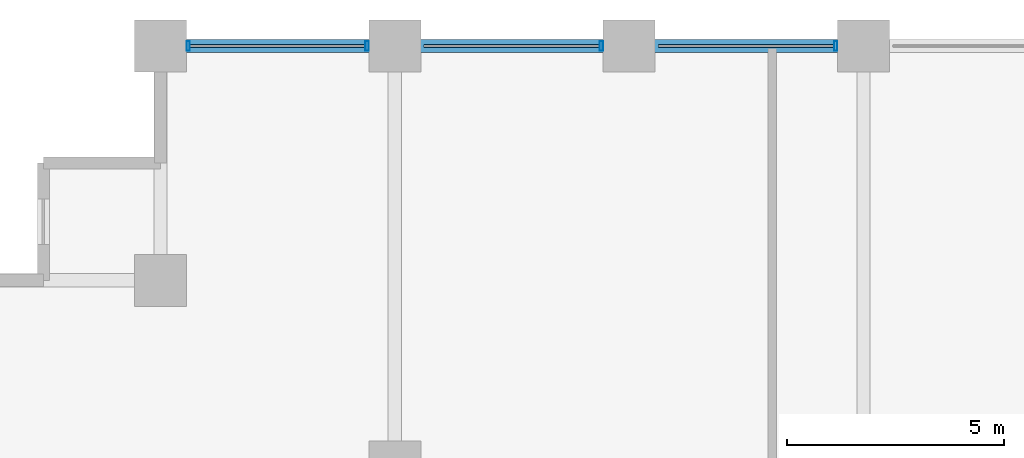
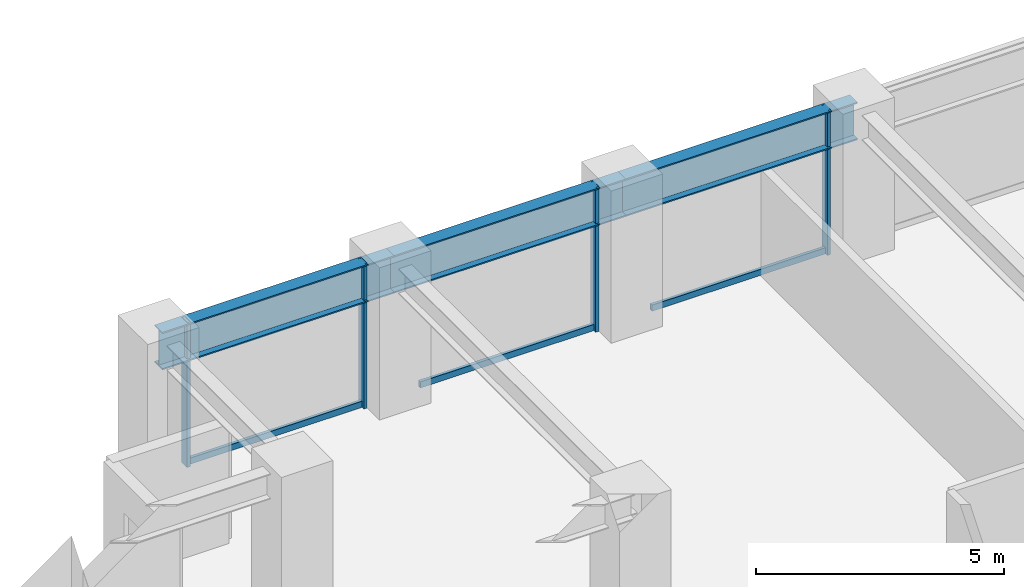
# One storey, part 12 of 26: 7 members, 3 beams, 1 element without a shape of its own.
"""IFC4 building model written with IfcOpenShell, lengths in metres."""

from ifc_helpers import new_model, si_unit, direction, frame, origin, origin_2d, place, context, subcontext, project, spatial, hollow_rectangle, i_section, extrude, material, layer, layer_set, material_profile, profile_set, type_object, element, aggregate, save


model = new_model("IFC4")

# Units and contexts
model_context = context("Model", 3, precision=1e-05, world=origin(), true_north=direction((0.0, 1.0)))
body_context = subcontext(model_context, "Body", "Model", "MODEL_VIEW")
ifc_project = project(units=[si_unit("LENGTHUNIT", "METRE"), si_unit("AREAUNIT", "SQUARE_METRE"), si_unit("VOLUMEUNIT", "CUBIC_METRE"), si_unit("PLANEANGLEUNIT", "RADIAN"), si_unit("MASSUNIT", "GRAM", prefix="KILO")], contexts=[model_context])

# Site, building, storey
site_placement = place(None, origin())
site = spatial("IfcSite", under=ifc_project, at=site_placement, CompositionType="ELEMENT")
building_placement = place(site_placement, origin())
building = spatial("IfcBuilding", under=site, at=building_placement, Name="Surkhivell Harbour Commons", CompositionType="ELEMENT")
storey_placement = place(building_placement, frame((0.0, 0.0, 60.0)))
storey = spatial("IfcBuildingStorey", under=building, at=storey_placement, Name="L15", CompositionType="ELEMENT", Elevation=60.0)

# Beams
ifc_material_1 = material(Name="Steel S460", Category="steel")
ifc_material_profile_1 = material_profile(ifc_material_1, i_section(OverallWidth=0.30810546875, OverallDepth=0.927001953125, WebThickness=0.01953125, FlangeThickness=0.031982421875, at=origin_2d()), Name="UB914x305x289")
ifc_profile_set_1 = profile_set([ifc_material_profile_1], Name="Steel S460")
beam_type = type_object("IfcBeamType", Name="BM-SPN-914B", PredefinedType="SPANDREL", material=ifc_profile_set_1)
beam_1_placement = place(storey_placement, frame((-27.0, 25.89990234375, 3.1064453125), z_axis=(1.0, 0.0, 0.0), x_axis=(0.0, 1.0, 0.0)))
element("IfcBeam", 1, at=beam_1_placement, inside=storey, type_object=beam_type, Name="L15 Tube Spandrel (-27.0,25.9)", PredefinedType="SPANDREL", context=body_context, shape_type="SweptSolid", body=[
    extrude(i_section(OverallWidth=0.30810546875, OverallDepth=0.927001953125, WebThickness=0.01953125, FlangeThickness=0.031982421875, at=origin_2d()), origin(), (0.0, 0.0, 1.0), 5.39990234375),
])
beam_2_placement = place(storey_placement, frame((-21.60009765625, 25.89990234375, 3.1064453125), z_axis=(1.0, 0.0, 0.0), x_axis=(0.0, 1.0, 0.0)))
element("IfcBeam", 2, at=beam_2_placement, inside=storey, type_object=beam_type, Name="L15 Tube Spandrel (-21.6,25.9)", PredefinedType="SPANDREL", context=body_context, shape_type="SweptSolid", body=[
    extrude(i_section(OverallWidth=0.30810546875, OverallDepth=0.927001953125, WebThickness=0.01953125, FlangeThickness=0.031982421875, at=origin_2d()), origin(), (0.0, 0.0, 1.0), 5.400146484375),
])
beam_3_placement = place(storey_placement, frame((-16.199951171875, 25.89990234375, 3.1064453125), z_axis=(1.0, 0.0, 0.0), x_axis=(0.0, 1.0, 0.0)))
element("IfcBeam", 3, at=beam_3_placement, inside=storey, type_object=beam_type, Name="L15 Tube Spandrel (-16.2,25.9)", PredefinedType="SPANDREL", context=body_context, shape_type="SweptSolid", body=[
    extrude(i_section(OverallWidth=0.30810546875, OverallDepth=0.927001953125, WebThickness=0.01953125, FlangeThickness=0.031982421875, at=origin_2d()), origin(), (0.0, 0.0, 1.0), 5.39990234375),
])

# Curtain wall, members
ifc_material_2 = material(Name="Anodised pale-metal aluminium and insulated glazing", Category="aluminium")
ifc_layer = layer(ifc_material_2, 0.219970703125)
ifc_layer_set = layer_set([ifc_layer], Name="Anodised pale-metal aluminium and insulated glazing")
curtain_wall_type = type_object("IfcCurtainWallType", Name="CW-SYS-Z1", PredefinedType="NOTDEFINED", material=ifc_layer_set)
curtain_wall_placement = place(storey_placement, origin())
curtain_wall = element("IfcCurtainWall", 4, at=curtain_wall_placement, inside=storey, type_object=curtain_wall_type, Name="L15 Curtain Wall CW-L15-E07S2", PredefinedType="NOTDEFINED")
ifc_material_3 = material(Name="Anodised pale-metal aluminium alloy 6063-T6", Category="aluminium")
ifc_material_profile_2 = material_profile(ifc_material_3, hollow_rectangle(XDim=0.074951171875, YDim=0.219970703125, WallThickness=0.00390625, at=origin_2d()), Name="ALU-MULL-75x220")
ifc_profile_set_2 = profile_set([ifc_material_profile_2], Name="Anodised pale-metal aluminium alloy 6063-T6")
member_type_1 = type_object("IfcMemberType", Name="CWM-220", PredefinedType="MULLION", material=ifc_profile_set_2)
member_1_placement = place(storey_placement, frame((-11.439453125, 25.89990234375, 0.0), z_axis=(0.0, 0.0, 1.0), x_axis=(-1.0, 0.0, 0.0)))
member_1 = element("IfcMember", 5, at=member_1_placement, type_object=member_type_1, Name="CW-Z1 mullion 2", PredefinedType="MULLION", context=body_context, shape_type="SweptSolid", body=[
    extrude(hollow_rectangle(XDim=0.074951171875, YDim=0.219970703125, WallThickness=0.00390625, at=origin_2d()), origin(), (0.0, 0.0, 1.0), 3.570068359375),
])
member_2_placement = place(storey_placement, frame((-16.839599609375, 25.89990234375, 0.0), z_axis=(0.0, 0.0, 1.0), x_axis=(-1.0, 0.0, 0.0)))
member_2 = element("IfcMember", 6, at=member_2_placement, type_object=member_type_1, Name="CW-Z1 mullion 3", PredefinedType="MULLION", context=body_context, shape_type="SweptSolid", body=[
    extrude(hollow_rectangle(XDim=0.074951171875, YDim=0.219970703125, WallThickness=0.00390625, at=origin_2d()), origin(), (0.0, 0.0, 1.0), 3.570068359375),
])
member_3_placement = place(storey_placement, frame((-22.239501953125, 25.89990234375, 0.0), z_axis=(0.0, 0.0, 1.0), x_axis=(-1.0, 0.0, 0.0)))
member_3 = element("IfcMember", 7, at=member_3_placement, type_object=member_type_1, Name="CW-Z1 mullion 4", PredefinedType="MULLION", context=body_context, shape_type="SweptSolid", body=[
    extrude(hollow_rectangle(XDim=0.074951171875, YDim=0.219970703125, WallThickness=0.00390625, at=origin_2d()), origin(), (0.0, 0.0, 1.0), 3.570068359375),
])
member_4_placement = place(storey_placement, frame((-26.360595703125, 25.89990234375, 0.0), z_axis=(0.0, 0.0, 1.0), x_axis=(-1.0, 0.0, 0.0)))
member_4 = element("IfcMember", 8, at=member_4_placement, type_object=member_type_1, Name="CW-Z1 mullion 5", PredefinedType="MULLION", context=body_context, shape_type="SweptSolid", body=[
    extrude(hollow_rectangle(XDim=0.074951171875, YDim=0.219970703125, WallThickness=0.00390625, at=origin_2d()), origin(), (0.0, 0.0, 1.0), 3.570068359375),
])
ifc_material_profile_3 = material_profile(ifc_material_3, hollow_rectangle(XDim=0.074951171875, YDim=0.14990234375, WallThickness=0.00341796875, at=origin_2d()), Name="ALU-TRAN-75x150")
ifc_profile_set_3 = profile_set([ifc_material_profile_3], Name="Anodised pale-metal aluminium alloy 6063-T6")
member_type_2 = type_object("IfcMemberType", Name="CWT-150", PredefinedType="USERDEFINED", material=ifc_profile_set_3)
member_5_placement = place(storey_placement, frame((-11.47705078125, 25.89990234375, 0.074951171875), z_axis=(-1.0, 0.0, 0.0), x_axis=(0.0, -1.0, 0.0)))
member_5 = element("IfcMember", 9, at=member_5_placement, type_object=member_type_2, Name="CW-Z1 transom 2.1", ObjectType="TRANSOM", PredefinedType="USERDEFINED", context=body_context, shape_type="SweptSolid", body=[
    extrude(hollow_rectangle(XDim=0.074951171875, YDim=0.14990234375, WallThickness=0.00341796875, at=origin_2d()), origin(), (0.0, 0.0, 1.0), 4.0458984375),
])
member_6_placement = place(storey_placement, frame((-16.876953125, 25.89990234375, 0.074951171875), z_axis=(-1.0, 0.0, 0.0), x_axis=(0.0, -1.0, 0.0)))
member_6 = element("IfcMember", 10, at=member_6_placement, type_object=member_type_2, Name="CW-Z1 transom 3.1", ObjectType="TRANSOM", PredefinedType="USERDEFINED", context=body_context, shape_type="SweptSolid", body=[
    extrude(hollow_rectangle(XDim=0.074951171875, YDim=0.14990234375, WallThickness=0.00341796875, at=origin_2d()), origin(), (0.0, 0.0, 1.0), 4.046142578125),
])
member_7_placement = place(storey_placement, frame((-22.277099609375, 25.89990234375, 0.074951171875), z_axis=(-1.0, 0.0, 0.0), x_axis=(0.0, -1.0, 0.0)))
member_7 = element("IfcMember", 11, at=member_7_placement, type_object=member_type_2, Name="CW-Z1 transom 4.1", ObjectType="TRANSOM", PredefinedType="USERDEFINED", context=body_context, shape_type="SweptSolid", body=[
    extrude(hollow_rectangle(XDim=0.074951171875, YDim=0.14990234375, WallThickness=0.00341796875, at=origin_2d()), origin(), (0.0, 0.0, 1.0), 4.0458984375),
])
aggregate(curtain_wall, [member_1, member_5, member_2, member_6, member_3, member_4, member_7])

save(model, "model.ifc")
